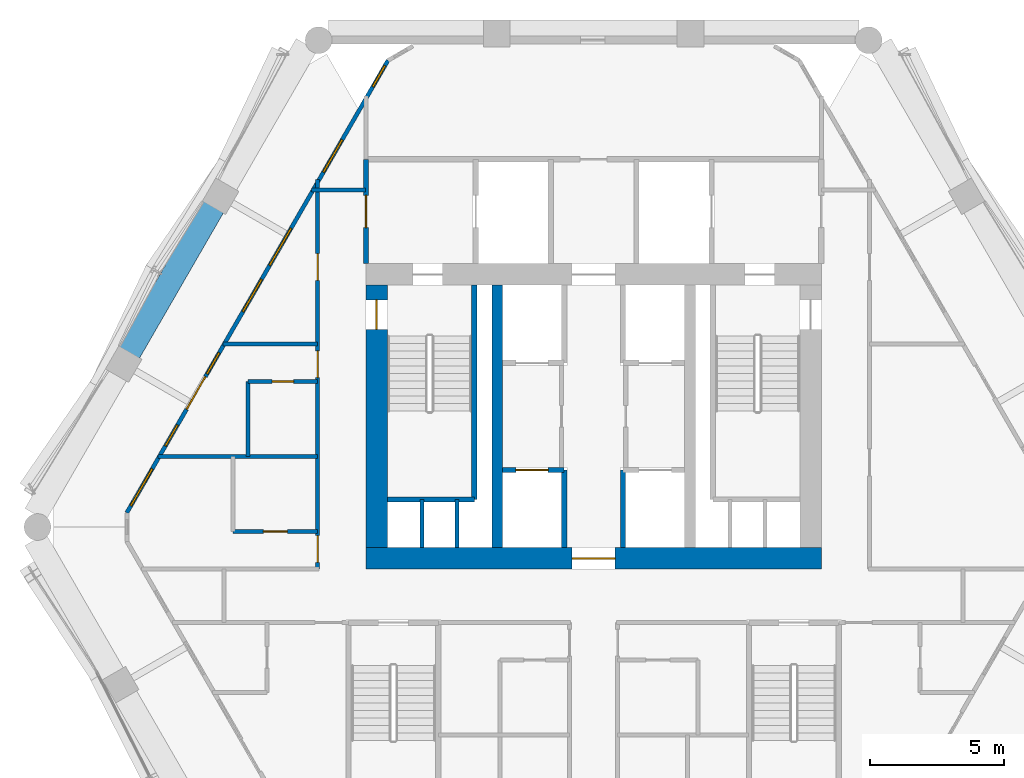
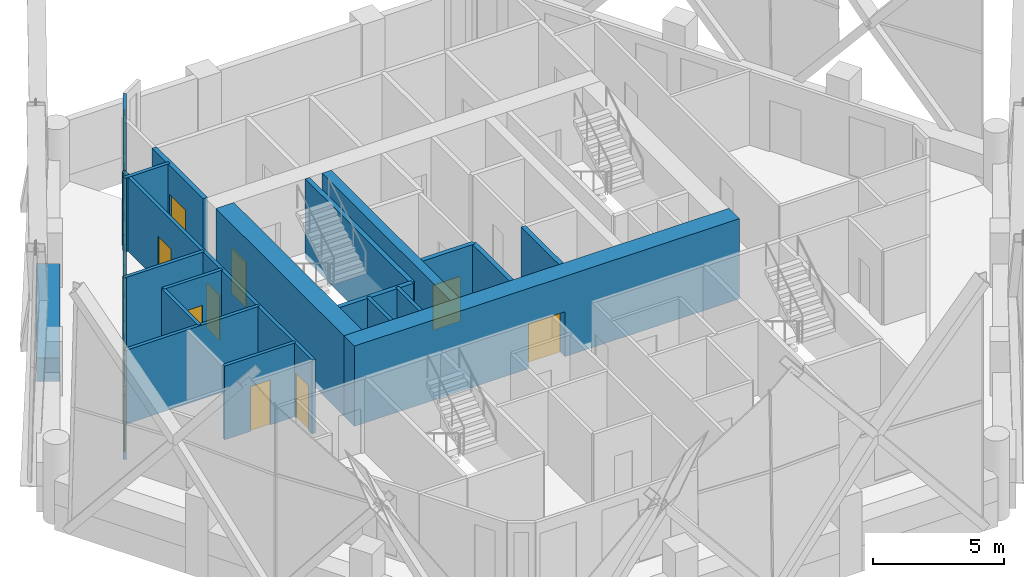
# One storey, part 11 of 19: 20 walls, 10 doors, 7 windows, 17 openings.
"""IFC4 building model written with IfcOpenShell, lengths in metres."""

import ifcopenshell
import ifcopenshell.guid

model = None  # the IFC model being written
_history = None  # IfcOwnerHistory: only IFC2X3 demands one
_inside = {}  # id of a spatial element -> (the spatial element, [elements in it])
_under = {}  # id of a project, library or spatial element -> (it, [spatial elements below it])
_declared = {}  # id of a project -> (the project, [libraries it declares])
_typed = {}  # id of a type object -> (the type object, [elements of that type])
_made_of = {}  # id of a material, layer set ... -> (it, [elements and type objects made of it])


def new_model(schema):
    """Start an empty IFC model of exactly this schema.

    Asked for "IFC4X3", IfcOpenShell would pick the latest addendum, in which some entities
    have other attributes; the version numbers below select the first issue.
    IFC2X3 requires an IfcOwnerHistory on every rooted entity: one is made here for all.
    """
    global model, _history
    if schema == "IFC4X3":
        model = ifcopenshell.file(schema_version=(4, 3, 0, 0))
    else:
        model = ifcopenshell.file(schema=schema)
    _inside.clear()
    _under.clear()
    _declared.clear()
    _typed.clear()
    _made_of.clear()
    _history = None
    if model.schema == "IFC2X3":
        org = make("IfcOrganization", Name="unknown")
        user = make(
            "IfcPersonAndOrganization",
            ThePerson=make("IfcPerson", FamilyName="unknown"),
            TheOrganization=org,
        )
        app = make(
            "IfcApplication",
            ApplicationDeveloper=org,
            Version="unknown",
            ApplicationFullName="unknown",
            ApplicationIdentifier="unknown",
        )
        _history = make(
            "IfcOwnerHistory",
            OwningUser=user,
            OwningApplication=app,
            ChangeAction="ADDED",
            CreationDate=0,
        )
    return model


def make(cls, **values):
    """One entity of the class cls with the attributes given. An attribute that is None is left unset."""
    return model.create_entity(
        cls, **{name: value for name, value in values.items() if value is not None}
    )


def rooted(cls, **values):
    """An entity with a GlobalId (a new one), such as an element, a storey or a relation."""
    return make(cls, GlobalId=ifcopenshell.guid.new(), OwnerHistory=_history, **values)


def si_unit(unit_type, name, prefix=None):
    """IfcSIUnit, for example si_unit("LENGTHUNIT", "METRE", prefix="MILLI")."""
    return make("IfcSIUnit", UnitType=unit_type, Prefix=prefix, Name=name)


def assignment(units):
    """IfcUnitAssignment: the units of a project."""
    return None if units is None else make("IfcUnitAssignment", Units=units)


def point(xyz):
    """IfcCartesianPoint."""
    return None if xyz is None else make("IfcCartesianPoint", Coordinates=xyz)


def direction(xyz):
    """IfcDirection."""
    return None if xyz is None else make("IfcDirection", DirectionRatios=xyz)


def frame(location, z_axis=None, x_axis=None):
    """IfcAxis2Placement3D, a coordinate frame: its origin and axes. An axis left out is left unset."""
    return make(
        "IfcAxis2Placement3D",
        Location=point(location),
        Axis=direction(z_axis),
        RefDirection=direction(x_axis),
    )


def frame_2d(location, x_axis=None):
    """IfcAxis2Placement2D, a coordinate frame in the plane: its origin and x axis."""
    return make(
        "IfcAxis2Placement2D", Location=point(location), RefDirection=direction(x_axis)
    )


def origin():
    """The frame at (0, 0, 0) with its axes left unset."""
    return frame((0.0, 0.0, 0.0))


def place(relative_to, where):
    """IfcLocalPlacement: puts the frame where relative to a parent placement (None: the world)."""
    return make(
        "IfcLocalPlacement", PlacementRelTo=relative_to, RelativePlacement=where
    )


def context(
    kind, dimensions, precision=None, world=None, true_north=None, identifier=None
):
    """IfcGeometricRepresentationContext, for example the 3D "Model" context."""
    return make(
        "IfcGeometricRepresentationContext",
        ContextIdentifier=identifier,
        ContextType=kind,
        CoordinateSpaceDimension=dimensions,
        Precision=precision,
        WorldCoordinateSystem=world,
        TrueNorth=true_north,
    )


def subcontext(parent, identifier, kind, view, scale=None):
    """IfcGeometricRepresentationSubContext, for example "Body" below "Model"."""
    return make(
        "IfcGeometricRepresentationSubContext",
        ContextIdentifier=identifier,
        ContextType=kind,
        ParentContext=parent,
        TargetScale=scale,
        TargetView=view,
    )


def project(units=None, contexts=None):
    """IfcProject with its units and contexts."""
    return rooted(
        "IfcProject",
        Name="project",
        RepresentationContexts=contexts,
        UnitsInContext=assignment(units),
    )


def spatial(cls, under=None, at=None, **own):
    """A site, building, storey or space (cls), placed at a placement, below another one or the project."""
    s = rooted(cls, ObjectPlacement=at, **own)
    if under is not None:
        _under.setdefault(under.id(), (under, []))[1].append(s)
    return s


def profile(cls, at=None, kind="AREA", **sizes):
    """A parametric profile (cls). Its sizes go by their IFC names, for example OverallWidth=200.0."""
    return make(cls, ProfileType=kind, Position=at, **sizes)


def rectangle(**sizes):
    """IfcRectangleProfileDef."""
    return profile("IfcRectangleProfileDef", **sizes)


def extrude(swept, where, along, depth):
    """IfcExtrudedAreaSolid: the profile swept, set in the frame where, extruded along a direction by depth."""
    return make(
        "IfcExtrudedAreaSolid",
        SweptArea=swept,
        Position=where,
        ExtrudedDirection=direction(along),
        Depth=depth,
    )


def shape(context_of_items, identifier, shape_type, items):
    """IfcShapeRepresentation: the items that make up one representation, for example the "Body"."""
    return make(
        "IfcShapeRepresentation",
        ContextOfItems=context_of_items,
        RepresentationIdentifier=identifier,
        RepresentationType=shape_type,
        Items=items,
    )


def material(Name=None, Category=None):
    """IfcMaterial."""
    return make("IfcMaterial", Name=Name, Category=Category)


def layer(
    of_material, thickness, ventilated=None, Name=None, Category=None, Priority=None
):
    """IfcMaterialLayer: one layer of a wall or slab, of a material (None: an air gap)."""
    return make(
        "IfcMaterialLayer",
        Material=of_material,
        LayerThickness=thickness,
        IsVentilated=ventilated,
        Name=Name,
        Category=Category,
        Priority=Priority,
    )


def layer_set(layers, Name=None):
    """IfcMaterialLayerSet."""
    return make("IfcMaterialLayerSet", MaterialLayers=layers, LayerSetName=Name)


def made_of(thing, what):
    """Note that an element or type object is made of a material, layer set ...; save() writes the relation."""
    if what is not None:
        _made_of.setdefault(what.id(), (what, []))[1].append(thing)
    return thing


def type_object(cls, material=None, **own):
    """A type object (cls), such as IfcWallType, which elements share."""
    return made_of(rooted(cls, **own), material)


def element(
    cls,
    number,
    at=None,
    inside=None,
    cuts=None,
    type_object=None,
    material=None,
    context=None,
    identifier="Body",
    shape_type=None,
    held_by="IfcProductDefinitionShape",
    body=None,
    shapes=None,
    **own,
):
    """One element of the class cls, such as IfcWall. Its Tag is "e" and its number.

    at: its placement. inside: the storey or other place that contains it. cuts: it is an
    opening in that element (IfcRelVoidsElement). A single representation is given by context,
    identifier, shape_type and body (its items); several are given by shapes. held_by: the class
    of the entity that holds the representations. save() writes the other relations.
    """
    e = rooted(cls, Tag="e%d" % number, ObjectPlacement=at, **own)
    if body is not None:
        shapes = [shape(context, identifier, shape_type, body)]
    if shapes is not None:
        e.Representation = make(held_by, Representations=shapes)
    if inside is not None:
        _inside.setdefault(inside.id(), (inside, []))[1].append(e)
    if cuts is not None:
        rooted(
            "IfcRelVoidsElement", RelatingBuildingElement=cuts, RelatedOpeningElement=e
        )
    if type_object is not None:
        _typed.setdefault(type_object.id(), (type_object, []))[1].append(e)
    return made_of(e, material)


def fill(opening, filler):
    """IfcRelFillsElement: the door or window that sits in an opening."""
    return rooted(
        "IfcRelFillsElement",
        RelatingOpeningElement=opening,
        RelatedBuildingElement=filler,
    )


def aggregate(whole, parts):
    """IfcRelAggregates: a whole, such as a stair, and the parts it consists of."""
    return rooted("IfcRelAggregates", RelatingObject=whole, RelatedObjects=parts)


def save(model, path):
    """Write the relations noted so far, then the file.

    IfcRelAggregates (storeys below a building ...), IfcRelContainedInSpatialStructure (elements
    in a storey), IfcRelDefinesByType, IfcRelAssociatesMaterial and IfcRelDeclares: one each for
    every whole, place, type object, material and project.
    """
    for whole, parts in _under.values():
        aggregate(whole, parts)
    for where, things in _inside.values():
        rooted(
            "IfcRelContainedInSpatialStructure",
            RelatedElements=things,
            RelatingStructure=where,
        )
    for kind, things in _typed.values():
        rooted("IfcRelDefinesByType", RelatedObjects=things, RelatingType=kind)
    for what, things in _made_of.values():
        rooted("IfcRelAssociatesMaterial", RelatedObjects=things, RelatingMaterial=what)
    for by, libraries in _declared.values():
        rooted("IfcRelDeclares", RelatingContext=by, RelatedDefinitions=libraries)
    model.write(path)


model = new_model("IFC4")

# Units and contexts
model_context = context("Model", 3, precision=1e-05, world=origin(), true_north=direction((0.0, 1.0)))
body_context = subcontext(model_context, "Body", "Model", "MODEL_VIEW")
ifc_project = project(units=[si_unit("LENGTHUNIT", "METRE"), si_unit("AREAUNIT", "SQUARE_METRE"), si_unit("VOLUMEUNIT", "CUBIC_METRE"), si_unit("PLANEANGLEUNIT", "RADIAN"), si_unit("MASSUNIT", "GRAM", prefix="KILO")], contexts=[model_context])

# Site, building, storey
site_placement = place(None, origin())
site = spatial("IfcSite", under=ifc_project, at=site_placement, CompositionType="ELEMENT")
building_placement = place(site_placement, origin())
building = spatial("IfcBuilding", under=site, at=building_placement, Name="Ostrander Bayou Hotel Tower", CompositionType="ELEMENT")
storey_placement = place(building_placement, frame((0.0, 0.0, 164.5)))
storey = spatial("IfcBuildingStorey", under=building, at=storey_placement, Name="L40", CompositionType="ELEMENT", Elevation=164.5)

# Wall, opening, door
ifc_material_1 = material(Name="Concrete f'c 60 MPa", Category="concrete")
ifc_layer_1 = layer(ifc_material_1, 0.800048828125)
ifc_layer_set_1 = layer_set([ifc_layer_1], Name="CW7 core wall 800 mm f'c 60 MPa")
wall_type_1 = type_object("IfcWallType", Name="CW7 core wall 800 mm f'c 60 MPa", PredefinedType="SHEAR", material=ifc_layer_set_1)
wall_1_placement = place(storey_placement, frame((-8.5, -1.300048828125, -0.300048828125), z_axis=(0.0, 0.0, 1.0), x_axis=(1.0, 0.0, 0.0)))
wall_1 = element("IfcWall", 1, at=wall_1_placement, inside=storey, type_object=wall_type_1, Name="CW7 L40 S", PredefinedType="SHEAR", context=body_context, shape_type="SweptSolid", body=[
    extrude(rectangle(XDim=17.0, YDim=0.800048828125, at=frame_2d((8.5, 0.0))), origin(), (0.0, 0.0, 1.0), 3.75),
])
opening_1_placement = place(wall_1_placement, frame((7.699951171875, 0.0, 0.0)))
opening_1 = element("IfcOpeningElement", 2, at=opening_1_placement, cuts=wall_1, Name="Opening T38-005", PredefinedType="OPENING", context=body_context, shape_type="SweptSolid", body=[
    extrude(rectangle(XDim=1.60009765625, YDim=2.10009765625, at=frame_2d((0.800048828125, 1.050048828125))), frame((0.0, 0.39990234375, 0.0), z_axis=(0.0, -1.0, 0.0), x_axis=(1.0, 0.0, 0.0)), (0.0, 0.0, 1.0), 0.800048828125),
])
ifc_material_2 = material(Name="Timber door leaf", Category="wood")
door_type_1 = type_object("IfcDoorType", Name="D13 double door 1600 x 2100 mm, 1 hour", OperationType="SINGLE_SWING_LEFT", PredefinedType="DOOR", material=ifc_material_2)
door_1_placement = place(opening_1_placement, origin())
door_1 = element("IfcDoor", 3, at=door_1_placement, inside=storey, type_object=door_type_1, Name="dr:L40:005", OperationType="DOUBLE_DOOR_SINGLE_SWING", OverallHeight=2.10009765625, OverallWidth=1.60009765625, PredefinedType="DOOR", context=body_context, shape_type="SweptSolid", body=[
    extrude(rectangle(XDim=1.60009765625, YDim=2.10009765625, at=frame_2d((0.800048828125, 1.050048828125))), frame((0.0, 0.02490234375, 0.0), z_axis=(0.0, -1.0, 0.0), x_axis=(1.0, 0.0, 0.0)), (0.0, 0.0, 1.0), 0.050048828125),
])
fill(opening_1, door_1)

ifc_material_3 = material(Name="Concrete f'c 60 MPa", Category="concrete")
ifc_layer_2 = layer(ifc_material_3, 0.800048828125)
ifc_layer_set_2 = layer_set([ifc_layer_2], Name="CW8 core spine wall 800 mm f'c 60 MPa")
wall_type_2 = type_object("IfcWallType", Name="CW8 core spine wall 800 mm f'c 60 MPa", PredefinedType="SHEAR", material=ifc_layer_set_2)
wall_2_placement = place(storey_placement, frame((-8.10009765625, -0.89990234375, -0.300048828125), z_axis=(0.0, 0.0, 1.0), x_axis=(0.0, 1.0, 0.0)))
wall_2 = element("IfcWall", 4, at=wall_2_placement, inside=storey, type_object=wall_type_2, Name="CW8 L40 W", PredefinedType="SHEAR", context=body_context, shape_type="SweptSolid", body=[
    extrude(rectangle(XDim=9.7998046875, YDim=0.800048828125, at=frame_2d((4.89990234375, 0.0))), origin(), (0.0, 0.0, 1.0), 3.75),
])
opening_2_placement = place(wall_2_placement, frame((8.14990234375, 0.0, 0.0)))
opening_2 = element("IfcOpeningElement", 5, at=opening_2_placement, cuts=wall_2, Name="Opening T38-008", PredefinedType="OPENING", context=body_context, shape_type="SweptSolid", body=[
    extrude(rectangle(XDim=1.10009765625, YDim=2.10009765625, at=frame_2d((0.550048828125, 1.050048828125))), frame((0.0, 0.39990234375, 0.0), z_axis=(0.0, -1.0, 0.0), x_axis=(1.0, 0.0, 0.0)), (0.0, 0.0, 1.0), 0.800048828125),
])
ifc_material_4 = material(Name="Timber door leaf", Category="wood")
door_type_2 = type_object("IfcDoorType", Name="D5 stair door 1100 x 2100 mm, 90 minute", OperationType="SINGLE_SWING_LEFT", PredefinedType="DOOR", material=ifc_material_4)
door_2_placement = place(opening_2_placement, origin())
door_2 = element("IfcDoor", 6, at=door_2_placement, inside=storey, type_object=door_type_2, Name="dr:L40:008", OperationType="SINGLE_SWING_RIGHT", OverallHeight=2.10009765625, OverallWidth=1.10009765625, PredefinedType="DOOR", context=body_context, shape_type="SweptSolid", body=[
    extrude(rectangle(XDim=1.10009765625, YDim=2.10009765625, at=frame_2d((0.550048828125, 1.050048828125))), frame((0.0, 0.02490234375, 0.0), z_axis=(0.0, -1.0, 0.0), x_axis=(1.0, 0.0, 0.0)), (0.0, 0.0, 1.0), 0.050048828125),
])
fill(opening_2, door_2)

# Wall
ifc_material_5 = material(Name="Concrete f'c 60 MPa", Category="concrete")
ifc_layer_3 = layer(ifc_material_5, 0.39990234375)
ifc_layer_set_3 = layer_set([ifc_layer_3], Name="CW9 core bank wall 400 mm f'c 60 MPa")
wall_type_3 = type_object("IfcWallType", Name="CW9 core bank wall 400 mm f'c 60 MPa", PredefinedType="SHEAR", material=ifc_layer_set_3)
wall_3_placement = place(storey_placement, frame((-3.60009765625, -0.89990234375, -0.300048828125), z_axis=(0.0, 0.0, 1.0), x_axis=(0.0, 1.0, 0.0)))
element("IfcWall", 7, at=wall_3_placement, inside=storey, type_object=wall_type_3, Name="CW9 L40 CW", PredefinedType="SHEAR", context=body_context, shape_type="SweptSolid", body=[
    extrude(rectangle(XDim=9.7998046875, YDim=0.39990234375, at=frame_2d((4.89990234375, 0.0))), origin(), (0.0, 0.0, 1.0), 3.75),
])

# Wall, openings, door, windows
ifc_material_6 = material(Name="Aluminium framed insulated wall", Category="aluminium")
ifc_layer_4 = layer(ifc_material_6, 0.14990234375)
ifc_layer_set_4 = layer_set([ifc_layer_4], Name="GW1 glass-line wall 150 mm")
wall_type_4 = type_object("IfcWallType", Name="GW1 glass-line wall 150 mm", PredefinedType="SOLIDWALL", material=ifc_layer_set_4)
wall_4_placement = place(storey_placement, frame((-7.67626953125, 17.29248046875, 0.0), z_axis=(0.0, 0.0, 1.0), x_axis=(-0.500000203029, -0.866025286565, 0.0)))
wall_4 = element("IfcWall", 8, at=wall_4_placement, inside=storey, type_object=wall_type_4, Name="GW1 L40 NW 1", PredefinedType="SOLIDWALL", context=body_context, shape_type="SweptSolid", body=[
    extrude(rectangle(XDim=19.50390625, YDim=0.14990234375, at=frame_2d((9.751953125, 0.0))), origin(), (0.0, 0.0, 1.0), 3.449951171875),
])
opening_3_placement = place(wall_4_placement, frame((3.419677734375, 0.0, 0.14990234375)))
opening_3 = element("IfcOpeningElement", 9, at=opening_3_placement, cuts=wall_4, Name="Opening W13", PredefinedType="OPENING", context=body_context, shape_type="SweptSolid", body=[
    extrude(rectangle(XDim=1.39990234375, YDim=2.85009765625, at=frame_2d((0.699951171875, 1.425048828125))), frame((0.0, 0.074951171875, 0.0), z_axis=(0.0, -1.0, 0.0), x_axis=(1.0, 0.0, 0.0)), (0.0, 0.0, 1.0), 0.14990234375),
])
opening_4_placement = place(wall_4_placement, frame((7.237548828125, 0.0, 0.14990234375)))
opening_4 = element("IfcOpeningElement", 10, at=opening_4_placement, cuts=wall_4, Name="Opening W3", PredefinedType="OPENING", context=body_context, shape_type="SweptSolid", body=[
    extrude(rectangle(XDim=1.60009765625, YDim=2.85009765625, at=frame_2d((0.800048828125, 1.425048828125))), frame((0.0, 0.074951171875, 0.0), z_axis=(0.0, -1.0, 0.0), x_axis=(1.0, 0.0, 0.0)), (0.0, 0.0, 1.0), 0.14990234375),
])
opening_5_placement = place(wall_4_placement, frame((9.4375, 0.0, 0.14990234375)))
opening_5 = element("IfcOpeningElement", 11, at=opening_5_placement, cuts=wall_4, Name="Opening W13", PredefinedType="OPENING", context=body_context, shape_type="SweptSolid", body=[
    extrude(rectangle(XDim=1.39990234375, YDim=2.85009765625, at=frame_2d((0.699951171875, 1.425048828125))), frame((0.0, 0.074951171875, 0.0), z_axis=(0.0, -1.0, 0.0), x_axis=(1.0, 0.0, 0.0)), (0.0, 0.0, 1.0), 0.14990234375),
])
opening_6_placement = place(wall_4_placement, frame((12.607177734375, 0.0, 0.14990234375)))
opening_6 = element("IfcOpeningElement", 12, at=opening_6_placement, cuts=wall_4, Name="Opening W17", PredefinedType="OPENING", context=body_context, shape_type="SweptSolid", body=[
    extrude(rectangle(XDim=0.89990234375, YDim=2.85009765625, at=frame_2d((0.449951171875, 1.425048828125))), frame((0.0, 0.074951171875, 0.0), z_axis=(0.0, -1.0, 0.0), x_axis=(1.0, 0.0, 0.0)), (0.0, 0.0, 1.0), 0.14990234375),
])
opening_7_placement = place(wall_4_placement, frame((13.6376953125, 0.0, 0.0)))
opening_7 = element("IfcOpeningElement", 13, at=opening_7_placement, cuts=wall_4, Name="Opening T38-800", PredefinedType="OPENING", context=body_context, shape_type="SweptSolid", body=[
    extrude(rectangle(XDim=1.39990234375, YDim=2.39990234375, at=frame_2d((0.699951171875, 1.199951171875))), frame((0.0, 0.074951171875, 0.0), z_axis=(0.0, -1.0, 0.0), x_axis=(1.0, 0.0, 0.0)), (0.0, 0.0, 1.0), 0.14990234375),
])
opening_8_placement = place(wall_4_placement, frame((0.234619140625, 0.0, 0.14990234375)))
opening_8 = element("IfcOpeningElement", 14, at=opening_8_placement, cuts=wall_4, Name="Opening W17", PredefinedType="OPENING", context=body_context, shape_type="SweptSolid", body=[
    extrude(rectangle(XDim=0.89990234375, YDim=2.72998046875, at=frame_2d((0.449951171875, 1.364990234375))), frame((0.0, 0.074951171875, 0.0), z_axis=(0.0, -1.0, 0.0), x_axis=(1.0, 0.0, 0.0)), (0.0, 0.0, 1.0), 0.14990234375),
])
opening_9_placement = place(wall_4_placement, frame((15.722412109375, 0.0, 0.14990234375)))
opening_9 = element("IfcOpeningElement", 15, at=opening_9_placement, cuts=wall_4, Name="Opening W17", PredefinedType="OPENING", context=body_context, shape_type="SweptSolid", body=[
    extrude(rectangle(XDim=0.89990234375, YDim=2.72998046875, at=frame_2d((0.449951171875, 1.364990234375))), frame((0.0, 0.074951171875, 0.0), z_axis=(0.0, -1.0, 0.0), x_axis=(1.0, 0.0, 0.0)), (0.0, 0.0, 1.0), 0.14990234375),
])
opening_10_placement = place(wall_4_placement, frame((17.60546875, 0.0, 0.14990234375)))
opening_10 = element("IfcOpeningElement", 16, at=opening_10_placement, cuts=wall_4, Name="Opening W3", PredefinedType="OPENING", context=body_context, shape_type="SweptSolid", body=[
    extrude(rectangle(XDim=1.60009765625, YDim=2.72998046875, at=frame_2d((0.800048828125, 1.364990234375))), frame((0.0, 0.074951171875, 0.0), z_axis=(0.0, -1.0, 0.0), x_axis=(1.0, 0.0, 0.0)), (0.0, 0.0, 1.0), 0.14990234375),
])
ifc_material_7 = material(Name="Aluminium and clear glass", Category="aluminium")
door_type_3 = type_object("IfcDoorType", Name="SD3 sliding glass door 1400 mm, zone 3", OperationType="SLIDING_TO_LEFT", PredefinedType="DOOR", material=ifc_material_7)
door_3_placement = place(opening_7_placement, origin())
door_3 = element("IfcDoor", 17, at=door_3_placement, inside=storey, type_object=door_type_3, Name="SD3 L40 NW 3", OperationType="SLIDING_TO_LEFT", OverallHeight=2.39990234375, OverallWidth=1.39990234375, PredefinedType="DOOR", context=body_context, shape_type="SweptSolid", body=[
    extrude(rectangle(XDim=1.39990234375, YDim=2.39990234375, at=frame_2d((0.699951171875, 1.199951171875))), frame((0.0, 0.02490234375, 0.0), z_axis=(0.0, -1.0, 0.0), x_axis=(1.0, 0.0, 0.0)), (0.0, 0.0, 1.0), 0.050048828125),
])
fill(opening_7, door_3)
ifc_material_8 = material(Name="Aluminium and clear glass", Category="aluminium")
window_type_1 = type_object("IfcWindowType", Name="W13 fixed window 1400 mm, bath bay, zone 3", PartitioningType="SINGLE_PANEL", PredefinedType="WINDOW", material=ifc_material_8)
window_1_placement = place(opening_3_placement, origin())
window_1 = element("IfcWindow", 18, at=window_1_placement, inside=storey, type_object=window_type_1, Name="W13 L40 NW 1", OverallHeight=2.85009765625, OverallWidth=1.39990234375, PartitioningType="SINGLE_PANEL", PredefinedType="WINDOW", context=body_context, shape_type="SweptSolid", body=[
    extrude(rectangle(XDim=1.39990234375, YDim=2.85009765625, at=frame_2d((0.699951171875, 1.425048828125))), frame((0.0, 0.030029296875, 0.0), z_axis=(0.0, -1.0, 0.0), x_axis=(1.0, 0.0, 0.0)), (0.0, 0.0, 1.0), 0.06005859375),
])
fill(opening_3, window_1)
window_2_placement = place(opening_5_placement, origin())
window_2 = element("IfcWindow", 19, at=window_2_placement, inside=storey, type_object=window_type_1, Name="W13 L40 NW 2", OverallHeight=2.85009765625, OverallWidth=1.39990234375, PartitioningType="SINGLE_PANEL", PredefinedType="WINDOW", context=body_context, shape_type="SweptSolid", body=[
    extrude(rectangle(XDim=1.39990234375, YDim=2.85009765625, at=frame_2d((0.699951171875, 1.425048828125))), frame((0.0, 0.030029296875, 0.0), z_axis=(0.0, -1.0, 0.0), x_axis=(1.0, 0.0, 0.0)), (0.0, 0.0, 1.0), 0.06005859375),
])
fill(opening_5, window_2)
ifc_material_9 = material(Name="Aluminium and clear glass", Category="aluminium")
window_type_2 = type_object("IfcWindowType", Name="W17 window 900 mm, zone 3", PartitioningType="SINGLE_PANEL", PredefinedType="WINDOW", material=ifc_material_9)
window_3_placement = place(opening_6_placement, origin())
window_3 = element("IfcWindow", 20, at=window_3_placement, inside=storey, type_object=window_type_2, Name="W17 L40 NW 3", OverallHeight=2.85009765625, OverallWidth=0.89990234375, PartitioningType="SINGLE_PANEL", PredefinedType="WINDOW", context=body_context, shape_type="SweptSolid", body=[
    extrude(rectangle(XDim=0.89990234375, YDim=2.85009765625, at=frame_2d((0.449951171875, 1.425048828125))), frame((0.0, 0.030029296875, 0.0), z_axis=(0.0, -1.0, 0.0), x_axis=(1.0, 0.0, 0.0)), (0.0, 0.0, 1.0), 0.06005859375),
])
fill(opening_6, window_3)
window_4_placement = place(opening_8_placement, origin())
window_4 = element("IfcWindow", 21, at=window_4_placement, inside=storey, type_object=window_type_2, Name="W17 L40 NW E11", OverallHeight=2.72998046875, OverallWidth=0.89990234375, PartitioningType="SINGLE_PANEL", PredefinedType="WINDOW", context=body_context, shape_type="SweptSolid", body=[
    extrude(rectangle(XDim=0.89990234375, YDim=2.72998046875, at=frame_2d((0.449951171875, 1.364990234375))), frame((0.0, 0.030029296875, 0.0), z_axis=(0.0, -1.0, 0.0), x_axis=(1.0, 0.0, 0.0)), (0.0, 0.0, 1.0), 0.06005859375),
])
fill(opening_8, window_4)
window_5_placement = place(opening_9_placement, origin())
window_5 = element("IfcWindow", 22, at=window_5_placement, inside=storey, type_object=window_type_2, Name="W17 L40 NW E21", OverallHeight=2.72998046875, OverallWidth=0.89990234375, PartitioningType="SINGLE_PANEL", PredefinedType="WINDOW", context=body_context, shape_type="SweptSolid", body=[
    extrude(rectangle(XDim=0.89990234375, YDim=2.72998046875, at=frame_2d((0.449951171875, 1.364990234375))), frame((0.0, 0.030029296875, 0.0), z_axis=(0.0, -1.0, 0.0), x_axis=(1.0, 0.0, 0.0)), (0.0, 0.0, 1.0), 0.06005859375),
])
fill(opening_9, window_5)
ifc_material_10 = material(Name="Aluminium and clear glass", Category="aluminium")
window_type_3 = type_object("IfcWindowType", Name="W3 fixed window 1600 mm, zone 3", PartitioningType="SINGLE_PANEL", PredefinedType="WINDOW", material=ifc_material_10)
window_6_placement = place(opening_4_placement, origin())
window_6 = element("IfcWindow", 23, at=window_6_placement, inside=storey, type_object=window_type_3, Name="W3 L40 NW 2", OverallHeight=2.85009765625, OverallWidth=1.60009765625, PartitioningType="SINGLE_PANEL", PredefinedType="WINDOW", context=body_context, shape_type="SweptSolid", body=[
    extrude(rectangle(XDim=1.60009765625, YDim=2.85009765625, at=frame_2d((0.800048828125, 1.425048828125))), frame((0.0, 0.030029296875, 0.0), z_axis=(0.0, -1.0, 0.0), x_axis=(1.0, 0.0, 0.0)), (0.0, 0.0, 1.0), 0.06005859375),
])
fill(opening_4, window_6)
window_7_placement = place(opening_10_placement, origin())
window_7 = element("IfcWindow", 24, at=window_7_placement, inside=storey, type_object=window_type_3, Name="W3 L40 NW E22", OverallHeight=2.72998046875, OverallWidth=1.60009765625, PartitioningType="SINGLE_PANEL", PredefinedType="WINDOW", context=body_context, shape_type="SweptSolid", body=[
    extrude(rectangle(XDim=1.60009765625, YDim=2.72998046875, at=frame_2d((0.800048828125, 1.364990234375))), frame((0.0, 0.030029296875, 0.0), z_axis=(0.0, -1.0, 0.0), x_axis=(1.0, 0.0, 0.0)), (0.0, 0.0, 1.0), 0.06005859375),
])
fill(opening_10, window_7)

# Wall
ifc_material_11 = material(Name="Concrete f'c 40 MPa", Category="concrete")
ifc_layer_5 = layer(ifc_material_11, 0.89990234375)
ifc_layer_set_5 = layer_set([ifc_layer_5], Name="PA1 stone-faced parapet 900 mm")
wall_type_5 = type_object("IfcWallType", Name="PA1 stone-faced parapet 900 mm", PredefinedType="PARAPET", material=ifc_layer_set_5)
wall_5_placement = place(storey_placement, frame((-14.2041015625, 11.835693359375, 0.0), z_axis=(0.0, 0.0, 1.0), x_axis=(-0.500030142214, -0.86600800047, 0.0)))
element("IfcWall", 25, at=wall_5_placement, inside=storey, type_object=wall_type_5, Name="PA1 L40 NW-2", PredefinedType="PARAPET", context=body_context, shape_type="SweptSolid", body=[
    extrude(rectangle(XDim=6.2958984375, YDim=0.89990234375, at=frame_2d((3.14794921875, 0.0))), origin(), (0.0, 0.0, 1.0), 1.10009765625),
])

# Wall, opening, door
ifc_material_12 = material(Name="Masonry block", Category="masonry")
ifc_layer_6 = layer(ifc_material_12, 0.199951171875)
ifc_layer_set_6 = layer_set([ifc_layer_6], Name="PT5 stair enclosure wall 200 mm masonry, 2 hour")
wall_type_6 = type_object("IfcWallType", Name="PT5 stair enclosure wall 200 mm masonry, 2 hour", PredefinedType="PARTITIONING", material=ifc_layer_set_6)
wall_6_placement = place(storey_placement, frame((-8.5, 9.699951171875, 0.0), z_axis=(0.0, 0.0, 1.0), x_axis=(0.0, 1.0, 0.0)))
wall_6 = element("IfcWall", 26, at=wall_6_placement, inside=storey, type_object=wall_type_6, Name="cs:L40:028", PredefinedType="PARTITIONING", context=body_context, shape_type="SweptSolid", body=[
    extrude(rectangle(XDim=3.900146484375, YDim=0.199951171875, at=frame_2d((1.9501953125, 0.0))), origin(), (0.0, 0.0, 1.0), 3.449951171875),
])
opening_11_placement = place(wall_6_placement, frame((1.35009765625, 0.0, 0.0)))
opening_11 = element("IfcOpeningElement", 27, at=opening_11_placement, cuts=wall_6, Name="Opening T38-014", PredefinedType="OPENING", context=body_context, shape_type="SweptSolid", body=[
    extrude(rectangle(XDim=1.199951171875, YDim=2.10009765625, at=frame_2d((0.60009765625, 1.050048828125))), frame((0.0, 0.10009765625, 0.0), z_axis=(0.0, -1.0, 0.0), x_axis=(1.0, 0.0, 0.0)), (0.0, 0.0, 1.0), 0.199951171875),
])
ifc_material_13 = material(Name="Timber door leaf", Category="wood")
door_type_4 = type_object("IfcDoorType", Name="D7 lobby door 1200 x 2100 mm, 1 hour", OperationType="SINGLE_SWING_LEFT", PredefinedType="DOOR", material=ifc_material_13)
door_4_placement = place(opening_11_placement, origin())
door_4 = element("IfcDoor", 28, at=door_4_placement, inside=storey, type_object=door_type_4, Name="dr:L40:014", OperationType="SINGLE_SWING_LEFT", OverallHeight=2.10009765625, OverallWidth=1.199951171875, PredefinedType="DOOR", context=body_context, shape_type="SweptSolid", body=[
    extrude(rectangle(XDim=1.199951171875, YDim=2.10009765625, at=frame_2d((0.60009765625, 1.050048828125))), frame((0.0, 0.02490234375, 0.0), z_axis=(0.0, -1.0, 0.0), x_axis=(1.0, 0.0, 0.0)), (0.0, 0.0, 1.0), 0.050048828125),
])
fill(opening_11, door_4)

ifc_material_14 = material(Name="Masonry block", Category="masonry")
ifc_layer_7 = layer(ifc_material_14, 0.199951171875)
ifc_layer_set_7 = layer_set([ifc_layer_7], Name="PT6 lift shaft wall 200 mm masonry, 2 hour")
wall_type_7 = type_object("IfcWallType", Name="PT6 lift shaft wall 200 mm masonry, 2 hour", PredefinedType="PARTITIONING", material=ifc_layer_set_7)
wall_7_placement = place(storey_placement, frame((-3.39990234375, 2.0, 0.0), z_axis=(0.0, 0.0, 1.0), x_axis=(1.0, 0.0, 0.0)))
wall_7 = element("IfcWall", 29, at=wall_7_placement, inside=storey, type_object=wall_type_7, Name="cs:L40:001", PredefinedType="PARTITIONING", context=body_context, shape_type="SweptSolid", body=[
    extrude(rectangle(XDim=2.2998046875, YDim=0.199951171875, at=frame_2d((1.14990234375, 0.0))), origin(), (0.0, 0.0, 1.0), 3.449951171875),
])
opening_12_placement = place(wall_7_placement, frame((0.5, 0.0, 0.0)))
opening_12 = element("IfcOpeningElement", 30, at=opening_12_placement, cuts=wall_7, Name="Opening T38-001", PredefinedType="OPENING", context=body_context, shape_type="SweptSolid", body=[
    extrude(rectangle(XDim=1.199951171875, YDim=2.10009765625, at=frame_2d((0.60009765625, 1.050048828125))), frame((0.0, 0.10009765625, 0.0), z_axis=(0.0, -1.0, 0.0), x_axis=(1.0, 0.0, 0.0)), (0.0, 0.0, 1.0), 0.199951171875),
])
ifc_material_15 = material(Name="Stainless steel sliding door", Category="steel")
door_type_5 = type_object("IfcDoorType", Name="LD1 lift landing door 1200 x 2100 mm", OperationType="SINGLE_SWING_LEFT", PredefinedType="DOOR", material=ifc_material_15)
door_5_placement = place(opening_12_placement, origin())
door_5 = element("IfcDoor", 31, at=door_5_placement, inside=storey, type_object=door_type_5, Name="dr:L40:001", OperationType="SLIDING_TO_LEFT", OverallHeight=2.10009765625, OverallWidth=1.199951171875, PredefinedType="DOOR", context=body_context, shape_type="SweptSolid", body=[
    extrude(rectangle(XDim=1.199951171875, YDim=2.10009765625, at=frame_2d((0.60009765625, 1.050048828125))), frame((0.0, 0.02490234375, 0.0), z_axis=(0.0, -1.0, 0.0), x_axis=(1.0, 0.0, 0.0)), (0.0, 0.0, 1.0), 0.050048828125),
])
fill(opening_12, door_5)

# Walls
for number, where, z_axis, x_axis, name in (
    (32, (-1.10009765625, -0.89990234375, 0.0), (0.0, 0.0, 1.0), (0.0, 1.0, 0.0), "cs:L40:005"),
    (33, (1.10009765625, -0.89990234375, 0.0), (0.0, 0.0, 1.0), (0.0, 1.0, 0.0), "cs:L40:006"),
):
    element("IfcWall", number, at=place(storey_placement, frame(where, z_axis=z_axis, x_axis=x_axis)), inside=storey, type_object=wall_type_7, Name=name, PredefinedType="PARTITIONING", context=body_context, shape_type="SweptSolid", body=[
        extrude(rectangle(XDim=2.89990234375, YDim=0.199951171875, at=frame_2d((1.449951171875, 0.0))), origin(), (0.0, 0.0, 1.0), 3.449951171875),
    ])
ifc_material_16 = material(Name="Gypsum board partition", Category="finish")
ifc_layer_8 = layer(ifc_material_16, 0.14990234375)
ifc_layer_set_8 = layer_set([ifc_layer_8], Name="PT7 riser wall 150 mm, 2 hour")
wall_type_8 = type_object("IfcWallType", Name="PT7 riser wall 150 mm, 2 hour", PredefinedType="PARTITIONING", material=ifc_layer_set_8)
for number, where, z_axis, x_axis, name in (
    (34, (-6.39990234375, -0.89990234375, 0.0), (0.0, 0.0, 1.0), (0.0, 1.0, 0.0), "cs:L40:011"),
    (35, (-5.10009765625, -0.89990234375, 0.0), (0.0, 0.0, 1.0), (0.0, 1.0, 0.0), "cs:L40:012"),
):
    element("IfcWall", number, at=place(storey_placement, frame(where, z_axis=z_axis, x_axis=x_axis)), inside=storey, type_object=wall_type_8, Name=name, PredefinedType="PARTITIONING", context=body_context, shape_type="SweptSolid", body=[
        extrude(rectangle(XDim=1.7998046875, YDim=0.14990234375, at=frame_2d((0.89990234375, 0.0))), origin(), (0.0, 0.0, 1.0), 3.449951171875),
    ])

# Wall, opening, door
ifc_material_17 = material(Name="Gypsum board partition", Category="finish")
ifc_layer_9 = layer(ifc_material_17, 0.14990234375)
ifc_layer_set_9 = layer_set([ifc_layer_9], Name="PT8 service band wall 150 mm, 1 hour")
wall_type_9 = type_object("IfcWallType", Name="PT8 service band wall 150 mm, 1 hour", PredefinedType="PARTITIONING", material=ifc_layer_set_9)
wall_8_placement = place(storey_placement, frame((-13.4599609375, -0.300048828125, 0.0), z_axis=(0.0, 0.0, 1.0), x_axis=(1.0, 0.0, 0.0)))
wall_8 = element("IfcWall", 36, at=wall_8_placement, inside=storey, type_object=wall_type_9, Name="gw:L40:016", PredefinedType="PARTITIONING", context=body_context, shape_type="SweptSolid", body=[
    extrude(rectangle(XDim=3.159912109375, YDim=0.14990234375, at=frame_2d((1.580078125, 0.0))), origin(), (0.0, 0.0, 1.0), 3.449951171875),
])
opening_13_placement = place(wall_8_placement, frame((1.12890625, 0.0, 0.0)))
opening_13 = element("IfcOpeningElement", 37, at=opening_13_placement, cuts=wall_8, Name="Opening T38-413", PredefinedType="OPENING", context=body_context, shape_type="SweptSolid", body=[
    extrude(rectangle(XDim=0.89990234375, YDim=2.10009765625, at=frame_2d((0.449951171875, 1.050048828125))), frame((0.0, 0.074951171875, 0.0), z_axis=(0.0, -1.0, 0.0), x_axis=(1.0, 0.0, 0.0)), (0.0, 0.0, 1.0), 0.14990234375),
])
ifc_material_18 = material(Name="Timber door leaf", Category="wood")
door_type_6 = type_object("IfcDoorType", Name="D14 bathroom door 900 x 2100 mm", OperationType="SINGLE_SWING_LEFT", PredefinedType="DOOR", material=ifc_material_18)
door_6_placement = place(opening_13_placement, origin())
door_6 = element("IfcDoor", 38, at=door_6_placement, inside=storey, type_object=door_type_6, Name="dr:L40:413", OperationType="SINGLE_SWING_RIGHT", OverallHeight=2.10009765625, OverallWidth=0.89990234375, PredefinedType="DOOR", context=body_context, shape_type="SweptSolid", body=[
    extrude(rectangle(XDim=0.89990234375, YDim=2.10009765625, at=frame_2d((0.449951171875, 1.050048828125))), frame((0.0, 0.02490234375, 0.0), z_axis=(0.0, -1.0, 0.0), x_axis=(1.0, 0.0, 0.0)), (0.0, 0.0, 1.0), 0.050048828125),
])
fill(opening_13, door_6)

# Wall
wall_9_placement = place(storey_placement, frame((-16.26904296875, 2.5, 0.0), z_axis=(0.0, 0.0, 1.0), x_axis=(1.0, 0.0, 0.0)))
element("IfcWall", 39, at=wall_9_placement, inside=storey, type_object=wall_type_9, Name="gw:L40:017", PredefinedType="PARTITIONING", context=body_context, shape_type="SweptSolid", body=[
    extrude(rectangle(XDim=5.968994140625, YDim=0.14990234375, at=frame_2d((2.984375, 0.0))), origin(), (0.0, 0.0, 1.0), 3.449951171875),
])

# Wall, opening, door
wall_10_placement = place(storey_placement, frame((-12.89990234375, 5.300048828125, 0.0), z_axis=(0.0, 0.0, 1.0), x_axis=(1.0, 0.0, 0.0)))
wall_10 = element("IfcWall", 40, at=wall_10_placement, inside=storey, type_object=wall_type_9, Name="gw:L40:018", PredefinedType="PARTITIONING", context=body_context, shape_type="SweptSolid", body=[
    extrude(rectangle(XDim=2.599853515625, YDim=0.14990234375, at=frame_2d((1.2998046875, 0.0))), origin(), (0.0, 0.0, 1.0), 3.449951171875),
])
opening_14_placement = place(wall_10_placement, frame((0.89990234375, 0.0, 0.0)))
opening_14 = element("IfcOpeningElement", 41, at=opening_14_placement, cuts=wall_10, Name="Opening T38-415", PredefinedType="OPENING", context=body_context, shape_type="SweptSolid", body=[
    extrude(rectangle(XDim=0.800048828125, YDim=2.10009765625, at=frame_2d((0.39990234375, 1.050048828125))), frame((0.0, 0.074951171875, 0.0), z_axis=(0.0, -1.0, 0.0), x_axis=(1.0, 0.0, 0.0)), (0.0, 0.0, 1.0), 0.14990234375),
])
ifc_material_19 = material(Name="Timber door leaf", Category="wood")
door_type_7 = type_object("IfcDoorType", Name="D2 bathroom door 800 x 2100 mm", OperationType="SINGLE_SWING_LEFT", PredefinedType="DOOR", material=ifc_material_19)
door_7_placement = place(opening_14_placement, origin())
door_7 = element("IfcDoor", 42, at=door_7_placement, inside=storey, type_object=door_type_7, Name="dr:L40:415", OperationType="SINGLE_SWING_RIGHT", OverallHeight=2.10009765625, OverallWidth=0.800048828125, PredefinedType="DOOR", context=body_context, shape_type="SweptSolid", body=[
    extrude(rectangle(XDim=0.800048828125, YDim=2.10009765625, at=frame_2d((0.39990234375, 1.050048828125))), frame((0.0, 0.02490234375, 0.0), z_axis=(0.0, -1.0, 0.0), x_axis=(1.0, 0.0, 0.0)), (0.0, 0.0, 1.0), 0.050048828125),
])
fill(opening_14, door_7)

# Walls
wall_11_placement = place(storey_placement, frame((-13.843994140625, 6.699951171875, 0.0), z_axis=(0.0, 0.0, 1.0), x_axis=(1.0, 0.0, 0.0)))
element("IfcWall", 43, at=wall_11_placement, inside=storey, type_object=wall_type_9, Name="gw:L40:019", PredefinedType="PARTITIONING", context=body_context, shape_type="SweptSolid", body=[
    extrude(rectangle(XDim=3.5439453125, YDim=0.14990234375, at=frame_2d((1.77197265625, 0.0))), origin(), (0.0, 0.0, 1.0), 3.449951171875),
])
wall_12_placement = place(storey_placement, frame((-10.52392578125, 12.449951171875, 0.0), z_axis=(0.0, 0.0, 1.0), x_axis=(1.0, 0.0, 0.0)))
element("IfcWall", 44, at=wall_12_placement, inside=storey, type_object=wall_type_9, Name="gw:L40:021", PredefinedType="PARTITIONING", context=body_context, shape_type="SweptSolid", body=[
    extrude(rectangle(XDim=2.013916015625, YDim=0.14990234375, at=frame_2d((1.0068359375, 0.0))), origin(), (0.0, 0.0, 1.0), 3.449951171875),
])

# Wall, openings, doors
wall_13_placement = place(storey_placement, frame((-10.300048828125, -1.699951171875, 0.0), z_axis=(0.0, 0.0, 1.0), x_axis=(0.0, 1.0, 0.0)))
wall_13 = element("IfcWall", 45, at=wall_13_placement, inside=storey, type_object=wall_type_9, Name="gw:L40:035", PredefinedType="PARTITIONING", context=body_context, shape_type="SweptSolid", body=[
    extrude(rectangle(XDim=14.537841796875, YDim=0.14990234375, at=frame_2d((7.26904296875, 0.0))), origin(), (0.0, 0.0, 1.0), 3.449951171875),
])
opening_15_placement = place(wall_13_placement, frame((0.25, 0.0, 0.0)))
opening_15 = element("IfcOpeningElement", 46, at=opening_15_placement, cuts=wall_13, Name="Opening T38-412", PredefinedType="OPENING", context=body_context, shape_type="SweptSolid", body=[
    extrude(rectangle(XDim=1.0, YDim=2.10009765625, at=frame_2d((0.5, 1.050048828125))), frame((0.0, 0.074951171875, 0.0), z_axis=(0.0, -1.0, 0.0), x_axis=(1.0, 0.0, 0.0)), (0.0, 0.0, 1.0), 0.14990234375),
])
opening_16_placement = place(wall_13_placement, frame((7.14990234375, 0.0, 0.0)))
opening_16 = element("IfcOpeningElement", 47, at=opening_16_placement, cuts=wall_13, Name="Opening T38-414", PredefinedType="OPENING", context=body_context, shape_type="SweptSolid", body=[
    extrude(rectangle(XDim=1.0, YDim=2.10009765625, at=frame_2d((0.5, 1.050048828125))), frame((0.0, 0.074951171875, 0.0), z_axis=(0.0, -1.0, 0.0), x_axis=(1.0, 0.0, 0.0)), (0.0, 0.0, 1.0), 0.14990234375),
])
opening_17_placement = place(wall_13_placement, frame((10.77490234375, 0.0, 0.0)))
opening_17 = element("IfcOpeningElement", 48, at=opening_17_placement, cuts=wall_13, Name="Opening T38-416", PredefinedType="OPENING", context=body_context, shape_type="SweptSolid", body=[
    extrude(rectangle(XDim=1.0, YDim=2.10009765625, at=frame_2d((0.5, 1.050048828125))), frame((0.0, 0.074951171875, 0.0), z_axis=(0.0, -1.0, 0.0), x_axis=(1.0, 0.0, 0.0)), (0.0, 0.0, 1.0), 0.14990234375),
])
ifc_material_20 = material(Name="Timber door leaf", Category="wood")
door_type_8 = type_object("IfcDoorType", Name="D1 guest room door 1000 x 2100 mm, 30 minute", OperationType="SINGLE_SWING_LEFT", PredefinedType="DOOR", material=ifc_material_20)
door_8_placement = place(opening_15_placement, origin())
door_8 = element("IfcDoor", 49, at=door_8_placement, inside=storey, type_object=door_type_8, Name="dr:L40:412", OperationType="SINGLE_SWING_LEFT", OverallHeight=2.10009765625, OverallWidth=1.0, PredefinedType="DOOR", context=body_context, shape_type="SweptSolid", body=[
    extrude(rectangle(XDim=1.0, YDim=2.10009765625, at=frame_2d((0.5, 1.050048828125))), frame((0.0, 0.02490234375, 0.0), z_axis=(0.0, -1.0, 0.0), x_axis=(1.0, 0.0, 0.0)), (0.0, 0.0, 1.0), 0.050048828125),
])
fill(opening_15, door_8)
door_9_placement = place(opening_16_placement, origin())
door_9 = element("IfcDoor", 50, at=door_9_placement, inside=storey, type_object=door_type_8, Name="dr:L40:414", OperationType="SINGLE_SWING_RIGHT", OverallHeight=2.10009765625, OverallWidth=1.0, PredefinedType="DOOR", context=body_context, shape_type="SweptSolid", body=[
    extrude(rectangle(XDim=1.0, YDim=2.10009765625, at=frame_2d((0.5, 1.050048828125))), frame((0.0, 0.02490234375, 0.0), z_axis=(0.0, -1.0, 0.0), x_axis=(1.0, 0.0, 0.0)), (0.0, 0.0, 1.0), 0.050048828125),
])
fill(opening_16, door_9)
ifc_material_21 = material(Name="Timber door leaf", Category="wood")
door_type_9 = type_object("IfcDoorType", Name="D9 service door 1000 x 2100 mm, 30 minute", OperationType="SINGLE_SWING_LEFT", PredefinedType="DOOR", material=ifc_material_21)
door_10_placement = place(opening_17_placement, origin())
door_10 = element("IfcDoor", 51, at=door_10_placement, inside=storey, type_object=door_type_9, Name="dr:L40:416", OperationType="SINGLE_SWING_LEFT", OverallHeight=2.10009765625, OverallWidth=1.0, PredefinedType="DOOR", context=body_context, shape_type="SweptSolid", body=[
    extrude(rectangle(XDim=1.0, YDim=2.10009765625, at=frame_2d((0.5, 1.050048828125))), frame((0.0, 0.02490234375, 0.0), z_axis=(0.0, -1.0, 0.0), x_axis=(1.0, 0.0, 0.0)), (0.0, 0.0, 1.0), 0.050048828125),
])
fill(opening_17, door_10)

# Walls
wall_14_placement = place(storey_placement, frame((-12.89990234375, 2.5, 0.0), z_axis=(0.0, 0.0, 1.0), x_axis=(0.0, 1.0, 0.0)))
element("IfcWall", 52, at=wall_14_placement, inside=storey, type_object=wall_type_9, Name="gw:L40:037", PredefinedType="PARTITIONING", context=body_context, shape_type="SweptSolid", body=[
    extrude(rectangle(XDim=2.800048828125, YDim=0.14990234375, at=frame_2d((1.39990234375, 0.0))), origin(), (0.0, 0.0, 1.0), 3.449951171875),
])
ifc_material_22 = material(Name="Concrete f'c 45 MPa", Category="concrete")
ifc_layer_10 = layer(ifc_material_22, 0.199951171875)
ifc_layer_set_10 = layer_set([ifc_layer_10], Name="SW5 stair enclosure wall 200 mm f'c 45 MPa")
wall_type_10 = type_object("IfcWallType", Name="SW5 stair enclosure wall 200 mm f'c 45 MPa", PredefinedType="SOLIDWALL", material=ifc_layer_set_10)
wall_15_placement = place(storey_placement, frame((-4.449951171875, 0.89990234375, -0.300048828125), z_axis=(0.0, 0.0, 1.0), x_axis=(0.0, 1.0, 0.0)))
element("IfcWall", 53, at=wall_15_placement, inside=storey, type_object=wall_type_10, Name="cs:L40:009", PredefinedType="SOLIDWALL", context=body_context, shape_type="SweptSolid", body=[
    extrude(rectangle(XDim=8.0, YDim=0.199951171875, at=frame_2d((4.0, 0.0))), origin(), (0.0, 0.0, 1.0), 3.75),
])
wall_16_placement = place(storey_placement, frame((-7.699951171875, 0.89990234375, -0.300048828125), z_axis=(0.0, 0.0, 1.0), x_axis=(1.0, 0.0, 0.0)))
element("IfcWall", 54, at=wall_16_placement, inside=storey, type_object=wall_type_10, Name="cs:L40:010", PredefinedType="SOLIDWALL", context=body_context, shape_type="SweptSolid", body=[
    extrude(rectangle(XDim=3.25, YDim=0.199951171875, at=frame_2d((1.625, 0.0))), origin(), (0.0, 0.0, 1.0), 3.75),
])

save(model, "model.ifc")
